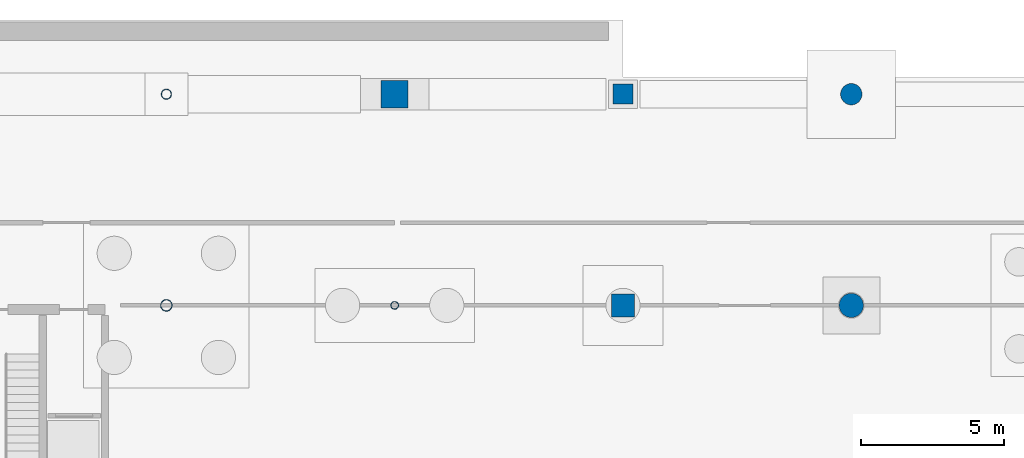
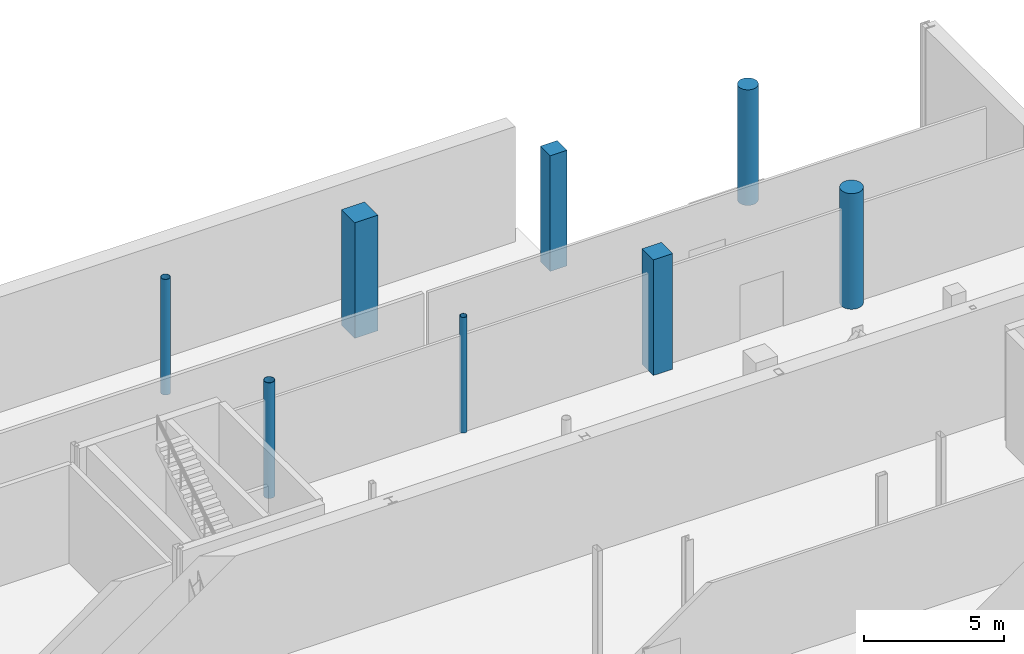
# One storey, part 17 of 33: 8 columns.
"""IFC4 building model written with IfcOpenShell, lengths in metres."""

from ifc_helpers import new_model, si_unit, direction, frame, origin, origin_2d, place, context, subcontext, project, spatial, rectangle, circle, hollow_circle, extrude, material, material_profile, profile_set, type_object, element, save


model = new_model("IFC4")

# Units and contexts
model_context = context("Model", 3, precision=1e-05, world=origin(), true_north=direction((0.0, 1.0)))
body_context = subcontext(model_context, "Body", "Model", "MODEL_VIEW")
ifc_project = project(units=[si_unit("LENGTHUNIT", "METRE"), si_unit("AREAUNIT", "SQUARE_METRE"), si_unit("VOLUMEUNIT", "CUBIC_METRE"), si_unit("PLANEANGLEUNIT", "RADIAN"), si_unit("MASSUNIT", "GRAM", prefix="KILO")], contexts=[model_context])

# Site, building, storey
site_placement = place(None, origin())
site = spatial("IfcSite", under=ifc_project, at=site_placement, CompositionType="ELEMENT")
building_placement = place(site_placement, origin())
building = spatial("IfcBuilding", under=site, at=building_placement, Name="Brisemont Oceanarium", CompositionType="ELEMENT")
storey_placement = place(building_placement, frame((0.0, 0.0, -5.39990234375)))
storey = spatial("IfcBuildingStorey", under=building, at=storey_placement, Name="B01", CompositionType="ELEMENT", Elevation=-5.39990234375)

# Columns
ifc_material_1 = material(Name="Structural Steel ASTM A500 Gr.C", Category="steel")
ifc_material_profile_1 = material_profile(ifc_material_1, hollow_circle(Radius=0.136474609375, WallThickness=0.01171875, at=origin_2d()), Name="HSS10.750X0.500")
ifc_profile_set_1 = profile_set([ifc_material_profile_1], Name="Structural Steel ASTM A500 Gr.C")
column_type_1 = type_object("IfcColumnType", Name="COL-CHS10", PredefinedType="COLUMN", material=ifc_profile_set_1)
column_1_placement = place(storey_placement, frame((80.0, 88.0, 0.0), z_axis=(0.0, 0.0, 1.0), x_axis=(1.0, 0.0, 0.0)))
element("IfcColumn", 1, at=column_1_placement, inside=storey, type_object=column_type_1, Name="V7E B01 column (3,1)", PredefinedType="COLUMN", context=body_context, shape_type="SweptSolid", body=[
    extrude(hollow_circle(Radius=0.136474609375, WallThickness=0.01171875, at=origin_2d()), origin(), (0.0, 0.0, 1.0), 5.039794921875),
])
ifc_material_2 = material(Name="Structural Steel ASTM A500 Gr.C", Category="steel")
ifc_material_profile_2 = material_profile(ifc_material_2, hollow_circle(Radius=0.177978515625, WallThickness=0.01171875, at=origin_2d()), Name="HSS14.000X0.500")
ifc_profile_set_2 = profile_set([ifc_material_profile_2], Name="Structural Steel ASTM A500 Gr.C")
column_type_2 = type_object("IfcColumnType", Name="COL-CHS14", PredefinedType="COLUMN", material=ifc_profile_set_2)
column_2_placement = place(storey_placement, frame((72.0, 95.39990234375, 0.0), z_axis=(0.0, 0.0, 1.0), x_axis=(1.0, 0.0, 0.0)))
element("IfcColumn", 2, at=column_2_placement, inside=storey, type_object=column_type_2, Name="V7E B01 column (2,2)", PredefinedType="COLUMN", context=body_context, shape_type="SweptSolid", body=[
    extrude(hollow_circle(Radius=0.177978515625, WallThickness=0.01171875, at=origin_2d()), origin(), (0.0, 0.0, 1.0), 5.039794921875),
])
ifc_material_3 = material(Name="Structural Steel ASTM A500 Gr.C", Category="steel")
ifc_material_profile_3 = material_profile(ifc_material_3, hollow_circle(Radius=0.202880859375, WallThickness=0.01171875, at=origin_2d()), Name="HSS16.000X0.500")
ifc_profile_set_3 = profile_set([ifc_material_profile_3], Name="Structural Steel ASTM A500 Gr.C")
column_type_3 = type_object("IfcColumnType", Name="COL-CHS16", PredefinedType="COLUMN", material=ifc_profile_set_3)
column_3_placement = place(storey_placement, frame((72.0, 88.0, 0.0), z_axis=(0.0, 0.0, 1.0), x_axis=(0.0, 1.0, 0.0)))
element("IfcColumn", 3, at=column_3_placement, inside=storey, type_object=column_type_3, Name="V7E B01 column (2,1)", PredefinedType="COLUMN", context=body_context, shape_type="SweptSolid", body=[
    extrude(hollow_circle(Radius=0.202880859375, WallThickness=0.01171875, at=origin_2d()), origin(), (0.0, 0.0, 1.0), 5.039794921875),
])
ifc_material_4 = material(Name="Concrete C35/45", Category="concrete")
ifc_material_profile_4 = material_profile(ifc_material_4, rectangle(XDim=0.699951171875, YDim=0.699951171875, at=origin_2d()), Name="RC-COL-700X700")
ifc_profile_set_4 = profile_set([ifc_material_profile_4], Name="Concrete C35/45")
column_type_4 = type_object("IfcColumnType", Name="COL-RC700", PredefinedType="COLUMN", material=ifc_profile_set_4)
column_4_placement = place(storey_placement, frame((88.0, 95.39990234375, 0.0), z_axis=(0.0, 0.0, 1.0), x_axis=(1.0, 0.0, 0.0)))
element("IfcColumn", 4, at=column_4_placement, inside=storey, type_object=column_type_4, Name="V7E B01 column (4,2)", PredefinedType="COLUMN", context=body_context, shape_type="SweptSolid", body=[
    extrude(rectangle(XDim=0.699951171875, YDim=0.699951171875, at=origin_2d()), origin(), (0.0, 0.0, 1.0), 5.039794921875),
])
ifc_material_5 = material(Name="Concrete C40/50", Category="concrete")
ifc_material_profile_5 = material_profile(ifc_material_5, rectangle(XDim=0.800048828125, YDim=0.800048828125, at=origin_2d()), Name="RC-COL-800X800")
ifc_profile_set_5 = profile_set([ifc_material_profile_5], Name="Concrete C40/50")
column_type_5 = type_object("IfcColumnType", Name="COL-RC800", PredefinedType="COLUMN", material=ifc_profile_set_5)
column_5_placement = place(storey_placement, frame((88.0, 88.0, 0.0), z_axis=(0.0, 0.0, 1.0), x_axis=(0.0, 1.0, 0.0)))
element("IfcColumn", 5, at=column_5_placement, inside=storey, type_object=column_type_5, Name="V7E B01 column (4,1)", PredefinedType="COLUMN", context=body_context, shape_type="SweptSolid", body=[
    extrude(rectangle(XDim=0.800048828125, YDim=0.800048828125, at=origin_2d()), origin(), (0.0, 0.0, 1.0), 5.039794921875),
])
ifc_material_6 = material(Name="Concrete C40/50", Category="concrete")
ifc_material_profile_6 = material_profile(ifc_material_6, rectangle(XDim=0.949951171875, YDim=0.949951171875, at=origin_2d()), Name="RC-COL-950X950")
ifc_profile_set_6 = profile_set([ifc_material_profile_6], Name="Concrete C40/50")
column_type_6 = type_object("IfcColumnType", Name="COL-RC950", PredefinedType="COLUMN", material=ifc_profile_set_6)
column_6_placement = place(storey_placement, frame((80.0, 95.39990234375, 0.0), z_axis=(0.0, 0.0, 1.0), x_axis=(0.0, 1.0, 0.0)))
element("IfcColumn", 6, at=column_6_placement, inside=storey, type_object=column_type_6, Name="V7E B01 column (3,2)", PredefinedType="COLUMN", context=body_context, shape_type="SweptSolid", body=[
    extrude(rectangle(XDim=0.949951171875, YDim=0.949951171875, at=origin_2d()), origin(), (0.0, 0.0, 1.0), 5.039794921875),
])
ifc_material_7 = material(Name="Concrete C40/50", Category="concrete")
ifc_material_profile_7 = material_profile(ifc_material_7, circle(Radius=0.375, at=origin_2d()), Name="RC-COL-D750")
ifc_profile_set_7 = profile_set([ifc_material_profile_7], Name="Concrete C40/50")
column_type_7 = type_object("IfcColumnType", Name="COL-RCD750", PredefinedType="COLUMN", material=ifc_profile_set_7)
column_7_placement = place(storey_placement, frame((96.0, 95.39990234375, 0.0), z_axis=(0.0, 0.0, 1.0), x_axis=(0.0, 1.0, 0.0)))
element("IfcColumn", 7, at=column_7_placement, inside=storey, type_object=column_type_7, Name="V7E B01 column (5,2)", PredefinedType="COLUMN", context=body_context, shape_type="SweptSolid", body=[
    extrude(circle(Radius=0.375, at=origin_2d()), origin(), (0.0, 0.0, 1.0), 5.039794921875),
])
ifc_material_8 = material(Name="Concrete C40/50", Category="concrete")
ifc_material_profile_8 = material_profile(ifc_material_8, circle(Radius=0.425048828125, at=origin_2d()), Name="RC-COL-D850")
ifc_profile_set_8 = profile_set([ifc_material_profile_8], Name="Concrete C40/50")
column_type_8 = type_object("IfcColumnType", Name="COL-RCD850", PredefinedType="COLUMN", material=ifc_profile_set_8)
column_8_placement = place(storey_placement, frame((96.0, 88.0, 0.0), z_axis=(0.0, 0.0, 1.0), x_axis=(1.0, 0.0, 0.0)))
element("IfcColumn", 8, at=column_8_placement, inside=storey, type_object=column_type_8, Name="V7E B01 column (5,1)", PredefinedType="COLUMN", context=body_context, shape_type="SweptSolid", body=[
    extrude(circle(Radius=0.425048828125, at=origin_2d()), origin(), (0.0, 0.0, 1.0), 5.039794921875),
])

save(model, "model.ifc")
